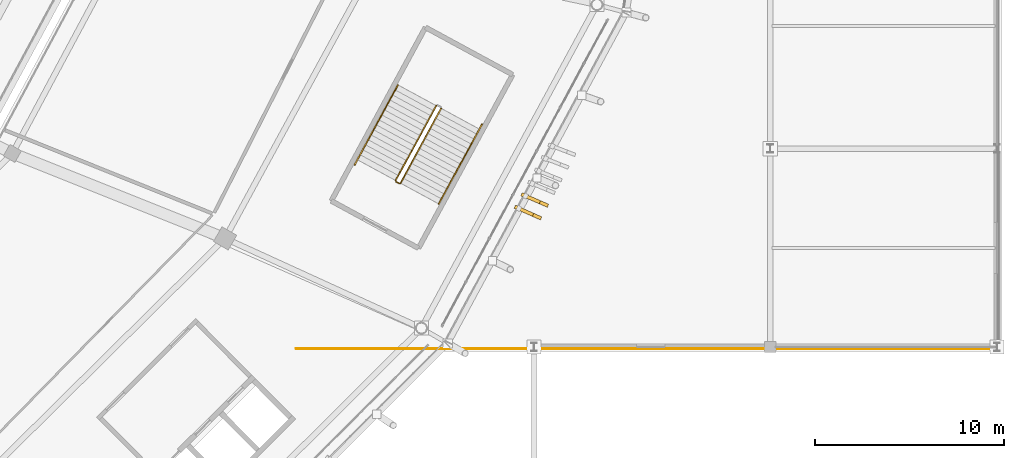
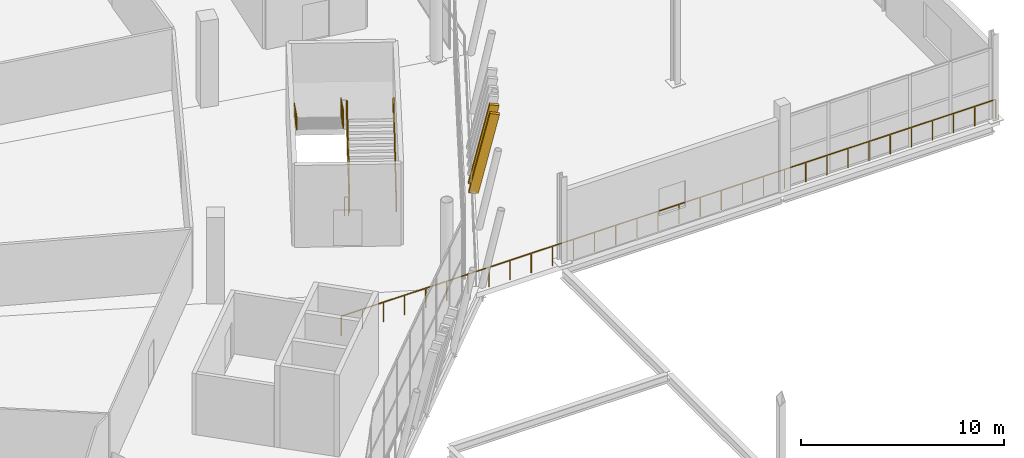
# One storey, part 163 of 178: 6 railings, 2 shading devices.
"""IFC4 building model written with IfcOpenShell, lengths in metres."""

from ifc_helpers import new_model, si_unit, direction, frame, origin, origin_2d, place, context, subcontext, project, spatial, rectangle, extrude, material, material_profile, profile_set, type_object, element, save


model = new_model("IFC4")

# Units and contexts
model_context = context("Model", 3, precision=1e-05, world=origin(), true_north=direction((0.0, 1.0)))
body_context = subcontext(model_context, "Body", "Model", "MODEL_VIEW")
ifc_project = project(units=[si_unit("LENGTHUNIT", "METRE"), si_unit("AREAUNIT", "SQUARE_METRE"), si_unit("VOLUMEUNIT", "CUBIC_METRE"), si_unit("PLANEANGLEUNIT", "RADIAN"), si_unit("MASSUNIT", "GRAM", prefix="KILO")], contexts=[model_context])

# Site, building, storey
site_placement = place(None, origin())
site = spatial("IfcSite", under=ifc_project, at=site_placement, CompositionType="ELEMENT")
building_placement = place(site_placement, origin())
building = spatial("IfcBuilding", under=site, at=building_placement, Name="Zlatoyarsky Gate Stadium", CompositionType="ELEMENT")
storey_placement = place(building_placement, frame((0.0, 0.0, 5.39990234375)))
storey = spatial("IfcBuildingStorey", under=building, at=storey_placement, Name="L01", CompositionType="ELEMENT", Elevation=5.39990234375)

# Railings
ifc_material_1 = material(Name="Powder-coated steel tubular guardrail", Category="steel")
railing_type_1 = type_object("IfcRailingType", Name="CONCOURSE SLAB EDGE GUARDRAIL 1200", PredefinedType="GUARDRAIL", material=ifc_material_1)
railing_1_placement = place(storey_placement, frame((184.919921875, 43.419921875, 0.0)))
element("IfcRailing", 1, at=railing_1_placement, inside=storey, type_object=railing_type_1, Name="V5_EAST L01 S slab edge guardrail", PredefinedType="GUARDRAIL", context=body_context, shape_type="SweptSolid", body=[
    extrude(rectangle(XDim=0.048095703125, YDim=0.048095703125, at=origin_2d()), frame((0.0, 0.0, 1.17578125), z_axis=(1.0, 0.0, 0.0), x_axis=(0.0, 1.0, 0.0)), (0.0, 0.0, 1.0), 37.16015625),
    extrude(rectangle(XDim=0.0419921875, YDim=0.0419921875, at=origin_2d()), origin(), (0.0, 0.0, 1.0), 1.15185546875),
    extrude(rectangle(XDim=0.0419921875, YDim=0.0419921875, at=origin_2d()), frame((1.19873046875, 0.0, 0.0)), (0.0, 0.0, 1.0), 1.15185546875),
    extrude(rectangle(XDim=0.0419921875, YDim=0.0419921875, at=origin_2d()), frame((2.3974609375, 0.0, 0.0)), (0.0, 0.0, 1.0), 1.15185546875),
    extrude(rectangle(XDim=0.0419921875, YDim=0.0419921875, at=origin_2d()), frame((3.59619140625, 0.0, 0.0)), (0.0, 0.0, 1.0), 1.15185546875),
    extrude(rectangle(XDim=0.0419921875, YDim=0.0419921875, at=origin_2d()), frame((4.794921875, 0.0, 0.0)), (0.0, 0.0, 1.0), 1.15185546875),
    extrude(rectangle(XDim=0.0419921875, YDim=0.0419921875, at=origin_2d()), frame((5.99365234375, 0.0, 0.0)), (0.0, 0.0, 1.0), 1.15185546875),
    extrude(rectangle(XDim=0.0419921875, YDim=0.0419921875, at=origin_2d()), frame((7.1923828125, 0.0, 0.0)), (0.0, 0.0, 1.0), 1.15185546875),
    extrude(rectangle(XDim=0.0419921875, YDim=0.0419921875, at=origin_2d()), frame((8.39111328125, 0.0, 0.0)), (0.0, 0.0, 1.0), 1.15185546875),
    extrude(rectangle(XDim=0.0419921875, YDim=0.0419921875, at=origin_2d()), frame((9.589599609375, 0.0, 0.0)), (0.0, 0.0, 1.0), 1.15185546875),
    extrude(rectangle(XDim=0.0419921875, YDim=0.0419921875, at=origin_2d()), frame((10.788330078125, 0.0, 0.0)), (0.0, 0.0, 1.0), 1.15185546875),
    extrude(rectangle(XDim=0.0419921875, YDim=0.0419921875, at=origin_2d()), frame((11.987060546875, 0.0, 0.0)), (0.0, 0.0, 1.0), 1.15185546875),
    extrude(rectangle(XDim=0.0419921875, YDim=0.0419921875, at=origin_2d()), frame((13.185791015625, 0.0, 0.0)), (0.0, 0.0, 1.0), 1.15185546875),
    extrude(rectangle(XDim=0.0419921875, YDim=0.0419921875, at=origin_2d()), frame((14.384521484375, 0.0, 0.0)), (0.0, 0.0, 1.0), 1.15185546875),
    extrude(rectangle(XDim=0.0419921875, YDim=0.0419921875, at=origin_2d()), frame((15.583251953125, 0.0, 0.0)), (0.0, 0.0, 1.0), 1.15185546875),
    extrude(rectangle(XDim=0.0419921875, YDim=0.0419921875, at=origin_2d()), frame((16.781982421875, 0.0, 0.0)), (0.0, 0.0, 1.0), 1.15185546875),
    extrude(rectangle(XDim=0.0419921875, YDim=0.0419921875, at=origin_2d()), frame((17.980712890625, 0.0, 0.0)), (0.0, 0.0, 1.0), 1.15185546875),
    extrude(rectangle(XDim=0.0419921875, YDim=0.0419921875, at=origin_2d()), frame((19.179443359375, 0.0, 0.0)), (0.0, 0.0, 1.0), 1.15185546875),
    extrude(rectangle(XDim=0.0419921875, YDim=0.0419921875, at=origin_2d()), frame((20.378173828125, 0.0, 0.0)), (0.0, 0.0, 1.0), 1.15185546875),
    extrude(rectangle(XDim=0.0419921875, YDim=0.0419921875, at=origin_2d()), frame((21.576904296875, 0.0, 0.0)), (0.0, 0.0, 1.0), 1.15185546875),
    extrude(rectangle(XDim=0.0419921875, YDim=0.0419921875, at=origin_2d()), frame((22.775634765625, 0.0, 0.0)), (0.0, 0.0, 1.0), 1.15185546875),
    extrude(rectangle(XDim=0.0419921875, YDim=0.0419921875, at=origin_2d()), frame((23.974365234375, 0.0, 0.0)), (0.0, 0.0, 1.0), 1.15185546875),
    extrude(rectangle(XDim=0.0419921875, YDim=0.0419921875, at=origin_2d()), frame((25.173095703125, 0.0, 0.0)), (0.0, 0.0, 1.0), 1.15185546875),
    extrude(rectangle(XDim=0.0419921875, YDim=0.0419921875, at=origin_2d()), frame((26.371826171875, 0.0, 0.0)), (0.0, 0.0, 1.0), 1.15185546875),
    extrude(rectangle(XDim=0.0419921875, YDim=0.0419921875, at=origin_2d()), frame((27.570556640625, 0.0, 0.0)), (0.0, 0.0, 1.0), 1.15185546875),
    extrude(rectangle(XDim=0.0419921875, YDim=0.0419921875, at=origin_2d()), frame((28.76904296875, 0.0, 0.0)), (0.0, 0.0, 1.0), 1.15185546875),
    extrude(rectangle(XDim=0.0419921875, YDim=0.0419921875, at=origin_2d()), frame((29.9677734375, 0.0, 0.0)), (0.0, 0.0, 1.0), 1.15185546875),
    extrude(rectangle(XDim=0.0419921875, YDim=0.0419921875, at=origin_2d()), frame((31.16650390625, 0.0, 0.0)), (0.0, 0.0, 1.0), 1.15185546875),
    extrude(rectangle(XDim=0.0419921875, YDim=0.0419921875, at=origin_2d()), frame((32.365234375, 0.0, 0.0)), (0.0, 0.0, 1.0), 1.15185546875),
    extrude(rectangle(XDim=0.0419921875, YDim=0.0419921875, at=origin_2d()), frame((33.56396484375, 0.0, 0.0)), (0.0, 0.0, 1.0), 1.15185546875),
    extrude(rectangle(XDim=0.0419921875, YDim=0.0419921875, at=origin_2d()), frame((34.7626953125, 0.0, 0.0)), (0.0, 0.0, 1.0), 1.15185546875),
    extrude(rectangle(XDim=0.0419921875, YDim=0.0419921875, at=origin_2d()), frame((35.96142578125, 0.0, 0.0)), (0.0, 0.0, 1.0), 1.15185546875),
    extrude(rectangle(XDim=0.0419921875, YDim=0.0419921875, at=origin_2d()), frame((37.16015625, 0.0, 0.0)), (0.0, 0.0, 1.0), 1.15185546875),
])
ifc_material_2 = material(Name="Powder-coated steel stair guardrail", Category="steel")
railing_type_2 = type_object("IfcRailingType", Name="PAINTED STEEL STAIR WELL GUARDRAIL 1150", PredefinedType="GUARDRAIL", material=ifc_material_2)
railing_2_placement = place(storey_placement, frame((190.437255859375, 52.175048828125, 0.16259765625)))
element("IfcRailing", 2, at=railing_2_placement, inside=storey, type_object=railing_type_2, Name="ST-12 L01 stair guard 1", PredefinedType="GUARDRAIL", context=body_context, shape_type="SweptSolid", body=[
    extrude(rectangle(XDim=0.048095703125, YDim=0.048095703125, at=origin_2d()), frame((0.0, 0.0, 1.1259765625), z_axis=(0.419324818617, 0.772864776611, 0.476284299098), x_axis=(-0.878963249763, 0.476889510858, 0.0)), (0.0, 0.0, 1.0), 5.11767578125),
    extrude(rectangle(XDim=0.0419921875, YDim=0.0419921875, at=origin_2d()), origin(), (0.0, 0.0, 1.0), 1.101806640625),
    extrude(rectangle(XDim=0.0419921875, YDim=0.0419921875, at=origin_2d()), frame((0.42919921875, 0.791015625, 0.487548828125)), (0.0, 0.0, 1.0), 1.101806640625),
    extrude(rectangle(XDim=0.0419921875, YDim=0.0419921875, at=origin_2d()), frame((0.8583984375, 1.58203125, 0.97509765625)), (0.0, 0.0, 1.0), 1.101806640625),
    extrude(rectangle(XDim=0.0419921875, YDim=0.0419921875, at=origin_2d()), frame((1.28759765625, 2.373291015625, 1.46240234375)), (0.0, 0.0, 1.0), 1.101806640625),
    extrude(rectangle(XDim=0.0419921875, YDim=0.0419921875, at=origin_2d()), frame((1.716796875, 3.164306640625, 1.949951171875)), (0.0, 0.0, 1.0), 1.101806640625),
    extrude(rectangle(XDim=0.0419921875, YDim=0.0419921875, at=origin_2d()), frame((2.14599609375, 3.955322265625, 2.4375)), (0.0, 0.0, 1.0), 1.101806640625),
])
railing_3_placement = place(storey_placement, frame((192.319580078125, 56.2734375, 2.7626953125)))
element("IfcRailing", 3, at=railing_3_placement, inside=storey, type_object=railing_type_2, Name="ST-12 L01 stair guard 3", PredefinedType="GUARDRAIL", context=body_context, shape_type="SweptSolid", body=[
    extrude(rectangle(XDim=0.048095703125, YDim=0.048095703125, at=origin_2d()), frame((0.0, 0.0, 1.1259765625), z_axis=(-0.419324818617, -0.772864776611, 0.476284299098), x_axis=(0.878963249763, -0.476889510858, 0.0)), (0.0, 0.0, 1.0), 5.11767578125),
    extrude(rectangle(XDim=0.0419921875, YDim=0.0419921875, at=origin_2d()), origin(), (0.0, 0.0, 1.0), 1.101806640625),
    extrude(rectangle(XDim=0.0419921875, YDim=0.0419921875, at=origin_2d()), frame((-0.42919921875, -0.791015625, 0.487548828125)), (0.0, 0.0, 1.0), 1.101806640625),
    extrude(rectangle(XDim=0.0419921875, YDim=0.0419921875, at=origin_2d()), frame((-0.8583984375, -1.58203125, 0.97509765625)), (0.0, 0.0, 1.0), 1.101806640625),
    extrude(rectangle(XDim=0.0419921875, YDim=0.0419921875, at=origin_2d()), frame((-1.28759765625, -2.373291015625, 1.46240234375)), (0.0, 0.0, 1.0), 1.101806640625),
    extrude(rectangle(XDim=0.0419921875, YDim=0.0419921875, at=origin_2d()), frame((-1.716796875, -3.164306640625, 1.949951171875)), (0.0, 0.0, 1.0), 1.101806640625),
    extrude(rectangle(XDim=0.0419921875, YDim=0.0419921875, at=origin_2d()), frame((-2.14599609375, -3.955322265625, 2.4375)), (0.0, 0.0, 1.0), 1.101806640625),
])
railing_4_placement = place(storey_placement, frame((190.36962890625, 52.15478515625, 0.0)))
element("IfcRailing", 4, at=railing_4_placement, inside=storey, type_object=railing_type_2, Name="ST-12 L01 stair guard 4", PredefinedType="GUARDRAIL", context=body_context, shape_type="SweptSolid", body=[
    extrude(rectangle(XDim=0.048095703125, YDim=0.048095703125, at=origin_2d()), frame((0.0, 0.0, 1.1259765625), z_axis=(-0.878780312785, 0.477226530971, 0.0), x_axis=(-0.477226530971, -0.878780312785, 0.0)), (0.0, 0.0, 1.0), 0.199951171875),
    extrude(rectangle(XDim=0.0419921875, YDim=0.0419921875, at=origin_2d()), origin(), (0.0, 0.0, 1.0), 1.101806640625),
    extrude(rectangle(XDim=0.0419921875, YDim=0.0419921875, at=origin_2d()), frame((-0.17578125, 0.095458984375, 0.0)), (0.0, 0.0, 1.0), 1.101806640625),
])

# Shading devices
ifc_material_3 = material(Name="Precast concrete C40/50 stone-toned architectural rib", Category="masonry")
ifc_material_profile = material_profile(ifc_material_3, rectangle(XDim=0.179931640625, YDim=0.47998046875, at=origin_2d()), Name="RIB 180X480")
ifc_profile_set = profile_set([ifc_material_profile], Name="Precast concrete C40/50 stone-toned architectural rib")
shading_device_type = type_object("IfcShadingDeviceType", Name="PRECAST RIBBED BOWL LOUVRE FIN 180X480", PredefinedType="JALOUSIE", material=ifc_profile_set)
for number, where, z_axis, x_axis, name in (
    (5, (196.695068359375, 50.83203125, -0.010009765625), (0.201637007814, -0.089446848281, 0.97536750941), (0.405496328768, 0.914096672872, 0.0), "Leaning bowl louvre fin L01-22-1"),
    (6, (197.051513671875, 51.491943359375, -0.010009765625), (0.202454222344, -0.087413006782, 0.975382619335), (0.396396238146, 0.918079529444, 0.0), "Leaning bowl louvre fin L01-22-2"),
):
    element("IfcShadingDevice", number, at=place(storey_placement, frame(where, z_axis=z_axis, x_axis=x_axis)), inside=storey, type_object=shading_device_type, Name=name, PredefinedType="JALOUSIE", context=body_context, shape_type="SweptSolid", body=[
        extrude(rectangle(XDim=0.179931640625, YDim=0.47998046875, at=origin_2d()), origin(), (0.0, 0.0, 1.0), 4.79833984375),
    ])

# Railings
ifc_material_4 = material(Name="Brushed stainless steel 316 handrail", Category="steel")
railing_type_3 = type_object("IfcRailingType", Name="STAINLESS STEEL TUBULAR HANDRAIL 900", PredefinedType="HANDRAIL", material=ifc_material_4)
railing_5_placement = place(storey_placement, frame((192.458984375, 51.078125, 0.16650390625)))
element("IfcRailing", 7, at=railing_5_placement, inside=storey, type_object=railing_type_3, Name="ST-12 L01 stair handrail 1", PredefinedType="HANDRAIL", context=body_context, shape_type="SweptSolid", body=[
    extrude(rectangle(XDim=0.048095703125, YDim=0.048095703125, at=origin_2d()), frame((0.0, 0.0, 0.8759765625), z_axis=(0.419322212027, 0.772856990832, 0.476299227612), x_axis=(-0.878962478599, 0.4768909322, 0.0)), (0.0, 0.0, 1.0), 5.458984375),
    extrude(rectangle(XDim=0.0419921875, YDim=0.0419921875, at=origin_2d()), origin(), (0.0, 0.0, 1.0), 0.851806640625),
    extrude(rectangle(XDim=0.0419921875, YDim=0.0419921875, at=origin_2d()), frame((0.457763671875, 0.84375, 0.52001953125)), (0.0, 0.0, 1.0), 0.851806640625),
    extrude(rectangle(XDim=0.0419921875, YDim=0.0419921875, at=origin_2d()), frame((0.91552734375, 1.6875, 1.0400390625)), (0.0, 0.0, 1.0), 0.851806640625),
    extrude(rectangle(XDim=0.0419921875, YDim=0.0419921875, at=origin_2d()), frame((1.37353515625, 2.531494140625, 1.56005859375)), (0.0, 0.0, 1.0), 0.851806640625),
    extrude(rectangle(XDim=0.0419921875, YDim=0.0419921875, at=origin_2d()), frame((1.831298828125, 3.375244140625, 2.080078125)), (0.0, 0.0, 1.0), 0.851806640625),
    extrude(rectangle(XDim=0.0419921875, YDim=0.0419921875, at=origin_2d()), frame((2.2890625, 4.218994140625, 2.60009765625)), (0.0, 0.0, 1.0), 0.851806640625),
])
railing_6_placement = place(storey_placement, frame((190.298095703125, 57.3701171875, 2.7666015625)))
element("IfcRailing", 8, at=railing_6_placement, inside=storey, type_object=railing_type_3, Name="ST-12 L01 stair handrail 2", PredefinedType="HANDRAIL", context=body_context, shape_type="SweptSolid", body=[
    extrude(rectangle(XDim=0.048095703125, YDim=0.048095703125, at=origin_2d()), frame((0.0, 0.0, 0.8759765625), z_axis=(-0.419322212027, -0.772856990832, 0.476299227612), x_axis=(0.878962478599, -0.4768909322, 0.0)), (0.0, 0.0, 1.0), 5.458984375),
    extrude(rectangle(XDim=0.0419921875, YDim=0.0419921875, at=origin_2d()), origin(), (0.0, 0.0, 1.0), 0.851806640625),
    extrude(rectangle(XDim=0.0419921875, YDim=0.0419921875, at=origin_2d()), frame((-0.457763671875, -0.84375, 0.52001953125)), (0.0, 0.0, 1.0), 0.851806640625),
    extrude(rectangle(XDim=0.0419921875, YDim=0.0419921875, at=origin_2d()), frame((-0.91552734375, -1.6875, 1.0400390625)), (0.0, 0.0, 1.0), 0.851806640625),
    extrude(rectangle(XDim=0.0419921875, YDim=0.0419921875, at=origin_2d()), frame((-1.37353515625, -2.531494140625, 1.56005859375)), (0.0, 0.0, 1.0), 0.851806640625),
    extrude(rectangle(XDim=0.0419921875, YDim=0.0419921875, at=origin_2d()), frame((-1.831298828125, -3.375244140625, 2.080078125)), (0.0, 0.0, 1.0), 0.851806640625),
    extrude(rectangle(XDim=0.0419921875, YDim=0.0419921875, at=origin_2d()), frame((-2.2890625, -4.218994140625, 2.60009765625)), (0.0, 0.0, 1.0), 0.851806640625),
])

save(model, "model.ifc")
